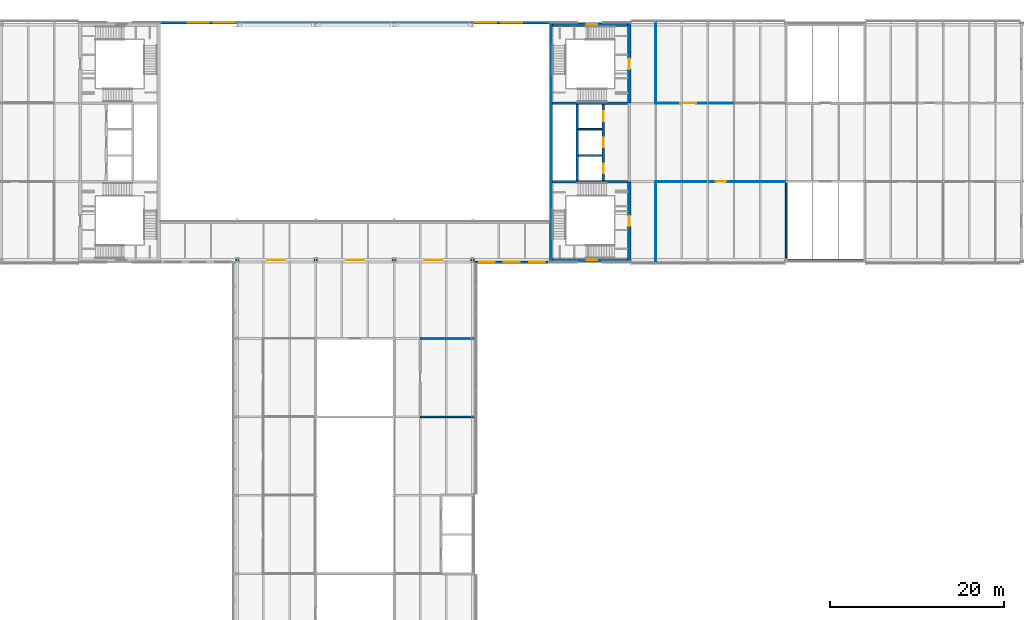
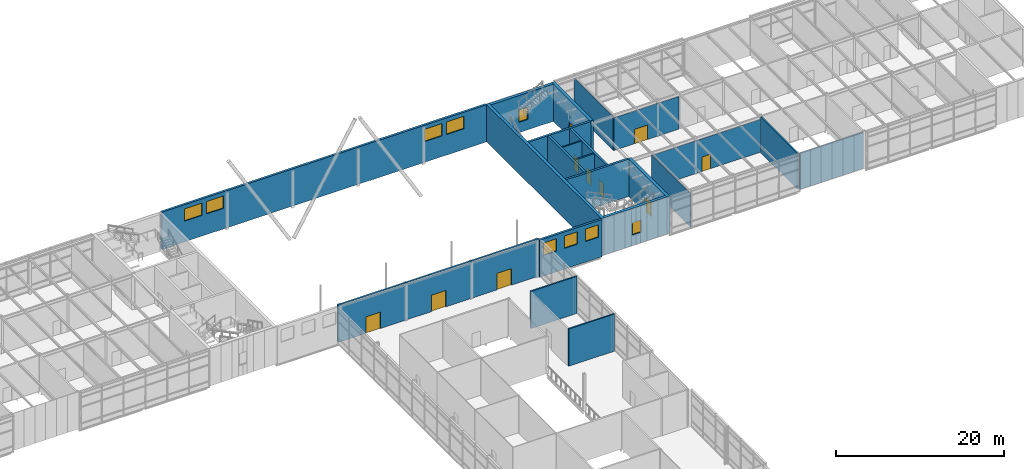
# One storey, part 38 of 46: 22 walls, 10 doors, 9 windows, 19 openings.
"""IFC4 building model written with IfcOpenShell, lengths in metres."""

from ifc_helpers import new_model, si_unit, direction, frame, frame_2d, origin, place, context, subcontext, project, spatial, rectangle, extrude, material, layer, layer_set, type_object, element, fill, save


model = new_model("IFC4")

# Units and contexts
model_context = context("Model", 3, precision=1e-05, world=origin(), true_north=direction((0.0, 1.0)))
body_context = subcontext(model_context, "Body", "Model", "MODEL_VIEW")
ifc_project = project(units=[si_unit("LENGTHUNIT", "METRE"), si_unit("AREAUNIT", "SQUARE_METRE"), si_unit("VOLUMEUNIT", "CUBIC_METRE"), si_unit("PLANEANGLEUNIT", "RADIAN"), si_unit("MASSUNIT", "GRAM", prefix="KILO")], contexts=[model_context])

# Site, building, storey
site_placement = place(None, origin())
site = spatial("IfcSite", under=ifc_project, at=site_placement, CompositionType="ELEMENT")
building_placement = place(site_placement, origin())
building = spatial("IfcBuilding", under=site, at=building_placement, Name="Azimuth Sports and Learning Centre", CompositionType="ELEMENT")
storey_placement = place(building_placement, frame((0.0, 0.0, 21.60009765625)))
storey = spatial("IfcBuildingStorey", under=building, at=storey_placement, Name="L04", CompositionType="ELEMENT", Elevation=21.60009765625)

# Walls
ifc_material_1 = material(Name="Dense masonry blockwork", Category="masonry")
ifc_layer_1 = layer(ifc_material_1, 0.199951171875)
ifc_layer_set_1 = layer_set([ifc_layer_1], Name="Dense masonry blockwork")
wall_type_1 = type_object("IfcWallType", Name="Blockwork wall 200 EI 120", PredefinedType="SOLIDWALL", material=ifc_layer_set_1)
for number, where, z_axis, x_axis, name in (
    (1, (111.14990234375, 102.0, 0.0), (0.0, 0.0, 1.0), (1.0, 0.0, 0.0), "SD-E-1-L04"),
    (2, (111.14990234375, 105.0, 0.0), (0.0, 0.0, 1.0), (1.0, 0.0, 0.0), "SD-E-2-L04"),
):
    element("IfcWall", number, at=place(storey_placement, frame(where, z_axis=z_axis, x_axis=x_axis)), inside=storey, type_object=wall_type_1, Name=name, PredefinedType="SOLIDWALL", context=body_context, shape_type="SweptSolid", body=[
        extrude(rectangle(XDim=2.7001953125, YDim=0.199951171875, at=frame_2d((1.35009765625, 0.0))), origin(), (0.0, 0.0, 1.0), 5.39990234375),
    ])

# Wall, openings, windows
ifc_material_2 = material(Name="Insulated cladding wall")
ifc_layer_2 = layer(ifc_material_2, 0.300048828125)
ifc_layer_set_2 = layer_set([ifc_layer_2], Name="Insulated cladding wall")
wall_type_2 = type_object("IfcWallType", Name="Hall cladding wall 300", PredefinedType="SOLIDWALL", material=ifc_layer_set_2)
wall_1_placement = place(storey_placement, frame((99.199951171875, 89.760009765625, 0.0), z_axis=(0.0, 0.0, 1.0), x_axis=(1.0, 0.0, 0.0)))
wall_1 = element("IfcWall", 3, at=wall_1_placement, inside=storey, type_object=wall_type_2, Name="Hall wall S-HALL E L04", PredefinedType="SOLIDWALL", context=body_context, shape_type="SweptSolid", body=[
    extrude(rectangle(XDim=8.60009765625, YDim=0.300048828125, at=frame_2d((4.300048828125, 0.0))), origin(), (0.0, 0.0, 1.0), 5.39990234375),
])
opening_1_placement = place(wall_1_placement, frame((0.550048828125, 0.0, 3.0)))
opening_1 = element("IfcOpeningElement", 4, at=opening_1_placement, cuts=wall_1, Name="Opening W04-006", PredefinedType="OPENING", context=body_context, shape_type="SweptSolid", body=[
    extrude(rectangle(XDim=1.800048828125, YDim=1.800048828125, at=frame_2d((0.89990234375, 0.89990234375))), frame((0.0, 0.1611328125, 0.0), z_axis=(0.0, -1.0, 0.0), x_axis=(1.0, 0.0, 0.0)), (0.0, 0.0, 1.0), 0.322021484375),
])
opening_2_placement = place(wall_1_placement, frame((3.39990234375, 0.0, 3.0)))
opening_2 = element("IfcOpeningElement", 5, at=opening_2_placement, cuts=wall_1, Name="Opening W04-007", PredefinedType="OPENING", context=body_context, shape_type="SweptSolid", body=[
    extrude(rectangle(XDim=1.800048828125, YDim=1.800048828125, at=frame_2d((0.89990234375, 0.89990234375))), frame((0.0, 0.1611328125, 0.0), z_axis=(0.0, -1.0, 0.0), x_axis=(1.0, 0.0, 0.0)), (0.0, 0.0, 1.0), 0.322021484375),
])
opening_3_placement = place(wall_1_placement, frame((6.300048828125, 0.0, 3.0)))
opening_3 = element("IfcOpeningElement", 6, at=opening_3_placement, cuts=wall_1, Name="Opening W04-008", PredefinedType="OPENING", context=body_context, shape_type="SweptSolid", body=[
    extrude(rectangle(XDim=1.800048828125, YDim=1.800048828125, at=frame_2d((0.89990234375, 0.89990234375))), frame((0.0, 0.1611328125, 0.0), z_axis=(0.0, -1.0, 0.0), x_axis=(1.0, 0.0, 0.0)), (0.0, 0.0, 1.0), 0.322021484375),
])
ifc_material_3 = material(Name="Aluminium and glass", Category="aluminium")
window_type_1 = type_object("IfcWindowType", Name="Hall B end bay window 1800x1800", PartitioningType="SINGLE_PANEL", PredefinedType="WINDOW", material=ifc_material_3)
window_1_placement = place(opening_1_placement, origin())
window_1 = element("IfcWindow", 7, at=window_1_placement, inside=storey, type_object=window_type_1, Name="Window W04-006", OverallHeight=1.800048828125, OverallWidth=1.800048828125, PartitioningType="SINGLE_PANEL", PredefinedType="WINDOW", context=body_context, shape_type="SweptSolid", body=[
    extrude(rectangle(XDim=1.800048828125, YDim=1.800048828125, at=frame_2d((0.89990234375, 0.89990234375))), frame((0.0, 0.030029296875, 0.0), z_axis=(0.0, -1.0, 0.0), x_axis=(1.0, 0.0, 0.0)), (0.0, 0.0, 1.0), 0.06005859375),
])
fill(opening_1, window_1)
window_2_placement = place(opening_2_placement, origin())
window_2 = element("IfcWindow", 8, at=window_2_placement, inside=storey, type_object=window_type_1, Name="Window W04-007", OverallHeight=1.800048828125, OverallWidth=1.800048828125, PartitioningType="SINGLE_PANEL", PredefinedType="WINDOW", context=body_context, shape_type="SweptSolid", body=[
    extrude(rectangle(XDim=1.800048828125, YDim=1.800048828125, at=frame_2d((0.89990234375, 0.89990234375))), frame((0.0, 0.030029296875, 0.0), z_axis=(0.0, -1.0, 0.0), x_axis=(1.0, 0.0, 0.0)), (0.0, 0.0, 1.0), 0.06005859375),
])
fill(opening_2, window_2)
window_3_placement = place(opening_3_placement, origin())
window_3 = element("IfcWindow", 9, at=window_3_placement, inside=storey, type_object=window_type_1, Name="Window W04-008", OverallHeight=1.800048828125, OverallWidth=1.800048828125, PartitioningType="SINGLE_PANEL", PredefinedType="WINDOW", context=body_context, shape_type="SweptSolid", body=[
    extrude(rectangle(XDim=1.800048828125, YDim=1.800048828125, at=frame_2d((0.89990234375, 0.89990234375))), frame((0.0, 0.030029296875, 0.0), z_axis=(0.0, -1.0, 0.0), x_axis=(1.0, 0.0, 0.0)), (0.0, 0.0, 1.0), 0.06005859375),
])
fill(opening_3, window_3)

wall_2_placement = place(storey_placement, frame((107.800048828125, 117.239990234375, 0.0), z_axis=(0.0, 0.0, 1.0), x_axis=(-1.0, 0.0, 0.0)))
wall_2 = element("IfcWall", 10, at=wall_2_placement, inside=storey, type_object=wall_type_2, Name="Hall wall N-HALL L04", PredefinedType="SOLIDWALL", context=body_context, shape_type="SweptSolid", body=[
    extrude(rectangle(XDim=44.60009765625, YDim=0.300048828125, at=frame_2d((22.300048828125, 0.0))), origin(), (0.0, 0.0, 1.0), 5.39990234375),
])
opening_4_placement = place(wall_2_placement, frame((3.10009765625, 0.0, 3.0)))
opening_4 = element("IfcOpeningElement", 11, at=opening_4_placement, cuts=wall_2, Name="Opening W04-013", PredefinedType="OPENING", context=body_context, shape_type="SweptSolid", body=[
    extrude(rectangle(XDim=2.39990234375, YDim=1.800048828125, at=frame_2d((1.199951171875, 0.89990234375))), frame((0.0, 0.1611328125, 0.0), z_axis=(0.0, -1.0, 0.0), x_axis=(1.0, 0.0, 0.0)), (0.0, 0.0, 1.0), 0.322021484375),
])
opening_5_placement = place(wall_2_placement, frame((6.10009765625, 0.0, 3.0)))
opening_5 = element("IfcOpeningElement", 12, at=opening_5_placement, cuts=wall_2, Name="Opening W04-014", PredefinedType="OPENING", context=body_context, shape_type="SweptSolid", body=[
    extrude(rectangle(XDim=2.39990234375, YDim=1.800048828125, at=frame_2d((1.199951171875, 0.89990234375))), frame((0.0, 0.1611328125, 0.0), z_axis=(0.0, -1.0, 0.0), x_axis=(1.0, 0.0, 0.0)), (0.0, 0.0, 1.0), 0.322021484375),
])
opening_6_placement = place(wall_2_placement, frame((36.10009765625, 0.0, 3.0)))
opening_6 = element("IfcOpeningElement", 13, at=opening_6_placement, cuts=wall_2, Name="Opening W04-015", PredefinedType="OPENING", context=body_context, shape_type="SweptSolid", body=[
    extrude(rectangle(XDim=2.39990234375, YDim=1.800048828125, at=frame_2d((1.199951171875, 0.89990234375))), frame((0.0, 0.1611328125, 0.0), z_axis=(0.0, -1.0, 0.0), x_axis=(1.0, 0.0, 0.0)), (0.0, 0.0, 1.0), 0.322021484375),
])
opening_7_placement = place(wall_2_placement, frame((39.10009765625, 0.0, 3.0)))
opening_7 = element("IfcOpeningElement", 14, at=opening_7_placement, cuts=wall_2, Name="Opening W04-016", PredefinedType="OPENING", context=body_context, shape_type="SweptSolid", body=[
    extrude(rectangle(XDim=2.39990234375, YDim=1.800048828125, at=frame_2d((1.199951171875, 0.89990234375))), frame((0.0, 0.1611328125, 0.0), z_axis=(0.0, -1.0, 0.0), x_axis=(1.0, 0.0, 0.0)), (0.0, 0.0, 1.0), 0.322021484375),
])
ifc_material_4 = material(Name="Aluminium and glass", Category="aluminium")
window_type_2 = type_object("IfcWindowType", Name="Hall B clerestory window 2400x1800", PartitioningType="SINGLE_PANEL", PredefinedType="WINDOW", material=ifc_material_4)
window_4_placement = place(opening_4_placement, origin())
window_4 = element("IfcWindow", 15, at=window_4_placement, inside=storey, type_object=window_type_2, Name="Window W04-013", OverallHeight=1.800048828125, OverallWidth=2.39990234375, PartitioningType="SINGLE_PANEL", PredefinedType="WINDOW", context=body_context, shape_type="SweptSolid", body=[
    extrude(rectangle(XDim=2.39990234375, YDim=1.800048828125, at=frame_2d((1.199951171875, 0.89990234375))), frame((0.0, 0.030029296875, 0.0), z_axis=(0.0, -1.0, 0.0), x_axis=(1.0, 0.0, 0.0)), (0.0, 0.0, 1.0), 0.06005859375),
])
fill(opening_4, window_4)
window_5_placement = place(opening_5_placement, origin())
window_5 = element("IfcWindow", 16, at=window_5_placement, inside=storey, type_object=window_type_2, Name="Window W04-014", OverallHeight=1.800048828125, OverallWidth=2.39990234375, PartitioningType="SINGLE_PANEL", PredefinedType="WINDOW", context=body_context, shape_type="SweptSolid", body=[
    extrude(rectangle(XDim=2.39990234375, YDim=1.800048828125, at=frame_2d((1.199951171875, 0.89990234375))), frame((0.0, 0.030029296875, 0.0), z_axis=(0.0, -1.0, 0.0), x_axis=(1.0, 0.0, 0.0)), (0.0, 0.0, 1.0), 0.06005859375),
])
fill(opening_5, window_5)
window_6_placement = place(opening_6_placement, origin())
window_6 = element("IfcWindow", 17, at=window_6_placement, inside=storey, type_object=window_type_2, Name="Window W04-015", OverallHeight=1.800048828125, OverallWidth=2.39990234375, PartitioningType="SINGLE_PANEL", PredefinedType="WINDOW", context=body_context, shape_type="SweptSolid", body=[
    extrude(rectangle(XDim=2.39990234375, YDim=1.800048828125, at=frame_2d((1.199951171875, 0.89990234375))), frame((0.0, 0.030029296875, 0.0), z_axis=(0.0, -1.0, 0.0), x_axis=(1.0, 0.0, 0.0)), (0.0, 0.0, 1.0), 0.06005859375),
])
fill(opening_6, window_6)
window_7_placement = place(opening_7_placement, origin())
window_7 = element("IfcWindow", 18, at=window_7_placement, inside=storey, type_object=window_type_2, Name="Window W04-016", OverallHeight=1.800048828125, OverallWidth=2.39990234375, PartitioningType="SINGLE_PANEL", PredefinedType="WINDOW", context=body_context, shape_type="SweptSolid", body=[
    extrude(rectangle(XDim=2.39990234375, YDim=1.800048828125, at=frame_2d((1.199951171875, 0.89990234375))), frame((0.0, 0.030029296875, 0.0), z_axis=(0.0, -1.0, 0.0), x_axis=(1.0, 0.0, 0.0)), (0.0, 0.0, 1.0), 0.06005859375),
])
fill(opening_7, window_7)

# Wall, openings, doors
ifc_material_5 = material(Name="Reinforced masonry blockwork", Category="masonry")
ifc_layer_3 = layer(ifc_material_5, 0.25)
ifc_layer_set_3 = layer_set([ifc_layer_3], Name="Reinforced masonry blockwork")
wall_type_3 = type_object("IfcWallType", Name="Hall wall 250 EI 60", PredefinedType="SOLIDWALL", material=ifc_layer_set_3)
wall_3_placement = place(storey_placement, frame((71.699951171875, 90.0, 0.0), z_axis=(0.0, 0.0, 1.0), x_axis=(1.0, 0.0, 0.0)))
wall_3 = element("IfcWall", 19, at=wall_3_placement, inside=storey, type_object=wall_type_3, Name="Hall wall 250 EI 60", PredefinedType="SOLIDWALL", context=body_context, shape_type="SweptSolid", body=[
    extrude(rectangle(XDim=27.60009765625, YDim=0.25, at=frame_2d((13.800048828125, 0.0))), origin(), (0.0, 0.0, 1.0), 5.39990234375),
])
opening_8_placement = place(wall_3_placement, frame((3.800048828125, 0.0, 0.0)))
opening_8 = element("IfcOpeningElement", 20, at=opening_8_placement, cuts=wall_3, Name="Opening D04-056", PredefinedType="OPENING", context=body_context, shape_type="SweptSolid", body=[
    extrude(rectangle(XDim=2.0, YDim=2.39990234375, at=frame_2d((1.0, 1.199951171875))), frame((0.0, 0.135986328125, 0.0), z_axis=(0.0, -1.0, 0.0), x_axis=(1.0, 0.0, 0.0)), (0.0, 0.0, 1.0), 0.27197265625),
])
opening_9_placement = place(wall_3_placement, frame((12.800048828125, 0.0, 0.0)))
opening_9 = element("IfcOpeningElement", 21, at=opening_9_placement, cuts=wall_3, Name="Opening D04-057", PredefinedType="OPENING", context=body_context, shape_type="SweptSolid", body=[
    extrude(rectangle(XDim=2.0, YDim=2.39990234375, at=frame_2d((1.0, 1.199951171875))), frame((0.0, 0.135986328125, 0.0), z_axis=(0.0, -1.0, 0.0), x_axis=(1.0, 0.0, 0.0)), (0.0, 0.0, 1.0), 0.27197265625),
])
opening_10_placement = place(wall_3_placement, frame((21.800048828125, 0.0, 0.0)))
opening_10 = element("IfcOpeningElement", 22, at=opening_10_placement, cuts=wall_3, Name="Opening D04-058", PredefinedType="OPENING", context=body_context, shape_type="SweptSolid", body=[
    extrude(rectangle(XDim=2.0, YDim=2.39990234375, at=frame_2d((1.0, 1.199951171875))), frame((0.0, 0.135986328125, 0.0), z_axis=(0.0, -1.0, 0.0), x_axis=(1.0, 0.0, 0.0)), (0.0, 0.0, 1.0), 0.27197265625),
])
ifc_material_6 = material(Name="Steel fire door set", Category="steel")
door_type_1 = type_object("IfcDoorType", Name="Steel door double 2000x2400 FD60", OperationType="DOUBLE_DOOR_SINGLE_SWING", PredefinedType="DOOR", material=ifc_material_6)
door_1_placement = place(opening_8_placement, frame((2.0, 0.0, 0.0), z_axis=(0.0, 0.0, 1.0), x_axis=(-1.0, 0.0, 0.0)))
door_1 = element("IfcDoor", 23, at=door_1_placement, inside=storey, type_object=door_type_1, Name="Door D04-056", OperationType="DOUBLE_DOOR_SINGLE_SWING", OverallHeight=2.39990234375, OverallWidth=2.0, PredefinedType="DOOR", context=body_context, shape_type="SweptSolid", body=[
    extrude(rectangle(XDim=2.0, YDim=2.39990234375, at=frame_2d((1.0, 1.199951171875))), frame((0.0, 0.02490234375, 0.0), z_axis=(0.0, -1.0, 0.0), x_axis=(1.0, 0.0, 0.0)), (0.0, 0.0, 1.0), 0.050048828125),
])
fill(opening_8, door_1)
door_2_placement = place(opening_9_placement, frame((2.0, 0.0, 0.0), z_axis=(0.0, 0.0, 1.0), x_axis=(-1.0, 0.0, 0.0)))
door_2 = element("IfcDoor", 24, at=door_2_placement, inside=storey, type_object=door_type_1, Name="Door D04-057", OperationType="DOUBLE_DOOR_SINGLE_SWING", OverallHeight=2.39990234375, OverallWidth=2.0, PredefinedType="DOOR", context=body_context, shape_type="SweptSolid", body=[
    extrude(rectangle(XDim=2.0, YDim=2.39990234375, at=frame_2d((1.0, 1.199951171875))), frame((0.0, 0.02490234375, 0.0), z_axis=(0.0, -1.0, 0.0), x_axis=(1.0, 0.0, 0.0)), (0.0, 0.0, 1.0), 0.050048828125),
])
fill(opening_9, door_2)
door_3_placement = place(opening_10_placement, frame((2.0, 0.0, 0.0), z_axis=(0.0, 0.0, 1.0), x_axis=(-1.0, 0.0, 0.0)))
door_3 = element("IfcDoor", 25, at=door_3_placement, inside=storey, type_object=door_type_1, Name="Door D04-058", OperationType="DOUBLE_DOOR_SINGLE_SWING", OverallHeight=2.39990234375, OverallWidth=2.0, PredefinedType="DOOR", context=body_context, shape_type="SweptSolid", body=[
    extrude(rectangle(XDim=2.0, YDim=2.39990234375, at=frame_2d((1.0, 1.199951171875))), frame((0.0, 0.02490234375, 0.0), z_axis=(0.0, -1.0, 0.0), x_axis=(1.0, 0.0, 0.0)), (0.0, 0.0, 1.0), 0.050048828125),
])
fill(opening_10, door_3)

# Wall, opening, door
ifc_material_7 = material(Name="Gypsum board on steel studs", Category="steel")
ifc_layer_4 = layer(ifc_material_7, 0.10009765625)
ifc_layer_set_4 = layer_set([ifc_layer_4], Name="Gypsum board on steel studs")
wall_type_4 = type_object("IfcWallType", Name="Partition 100 EI 30", PredefinedType="PARTITIONING", material=ifc_layer_set_4)
wall_4_placement = place(storey_placement, frame((120.0, 99.0, 0.0), z_axis=(0.0, 0.0, 1.0), x_axis=(1.0, 0.0, 0.0)))
wall_4 = element("IfcWall", 26, at=wall_4_placement, inside=storey, type_object=wall_type_4, Name="Partition 100 EI 30", PredefinedType="PARTITIONING", context=body_context, shape_type="SweptSolid", body=[
    extrude(rectangle(XDim=15.0, YDim=0.10009765625, at=frame_2d((7.5, 0.0))), origin(), (0.0, 0.0, 1.0), 4.75),
])
opening_11_placement = place(wall_4_placement, frame((6.89990234375, 0.0, 0.0)))
opening_11 = element("IfcOpeningElement", 27, at=opening_11_placement, cuts=wall_4, Name="Opening D04-041", PredefinedType="OPENING", context=body_context, shape_type="SweptSolid", body=[
    extrude(rectangle(XDim=1.199951171875, YDim=2.10009765625, at=frame_2d((0.60009765625, 1.050048828125))), frame((0.0, 0.06103515625, 0.0), z_axis=(0.0, -1.0, 0.0), x_axis=(1.0, 0.0, 0.0)), (0.0, 0.0, 1.0), 0.1220703125),
])
ifc_material_8 = material(Name="Timber fire door set", Category="wood")
door_type_2 = type_object("IfcDoorType", Name="Timber door single 1200x2100 FD30S", OperationType="NOTDEFINED", PredefinedType="DOOR", material=ifc_material_8)
door_4_placement = place(opening_11_placement, frame((1.199951171875, 0.0, 0.0), z_axis=(0.0, 0.0, 1.0), x_axis=(-1.0, 0.0, 0.0)))
door_4 = element("IfcDoor", 28, at=door_4_placement, inside=storey, type_object=door_type_2, Name="Door D04-041", OperationType="SINGLE_SWING_RIGHT", OverallHeight=2.10009765625, OverallWidth=1.199951171875, PredefinedType="DOOR", context=body_context, shape_type="SweptSolid", body=[
    extrude(rectangle(XDim=1.199951171875, YDim=2.10009765625, at=frame_2d((0.60009765625, 1.050048828125))), frame((0.0, 0.02490234375, 0.0), z_axis=(0.0, -1.0, 0.0), x_axis=(1.0, 0.0, 0.0)), (0.0, 0.0, 1.0), 0.050048828125),
])
fill(opening_11, door_4)

wall_5_placement = place(storey_placement, frame((120.0, 108.0, 0.0), z_axis=(0.0, 0.0, 1.0), x_axis=(1.0, 0.0, 0.0)))
wall_5 = element("IfcWall", 29, at=wall_5_placement, inside=storey, type_object=wall_type_4, Name="Partition 100 EI 30", PredefinedType="PARTITIONING", context=body_context, shape_type="SweptSolid", body=[
    extrude(rectangle(XDim=8.9375, YDim=0.10009765625, at=frame_2d((4.46875, 0.0))), origin(), (0.0, 0.0, 1.0), 4.75),
])
opening_12_placement = place(wall_5_placement, frame((2.85009765625, 0.0, 0.0)))
opening_12 = element("IfcOpeningElement", 30, at=opening_12_placement, cuts=wall_5, Name="Opening D04-047", PredefinedType="OPENING", context=body_context, shape_type="SweptSolid", body=[
    extrude(rectangle(XDim=1.800048828125, YDim=2.10009765625, at=frame_2d((0.89990234375, 1.050048828125))), frame((0.0, 0.06103515625, 0.0), z_axis=(0.0, -1.0, 0.0), x_axis=(1.0, 0.0, 0.0)), (0.0, 0.0, 1.0), 0.1220703125),
])
ifc_material_9 = material(Name="Timber fire door set", Category="wood")
door_type_3 = type_object("IfcDoorType", Name="Timber door double 1800x2100 FD30S", OperationType="DOUBLE_DOOR_SINGLE_SWING", PredefinedType="DOOR", material=ifc_material_9)
door_5_placement = place(opening_12_placement, origin())
door_5 = element("IfcDoor", 31, at=door_5_placement, inside=storey, type_object=door_type_3, Name="Door D04-047", OperationType="DOUBLE_DOOR_SINGLE_SWING", OverallHeight=2.10009765625, OverallWidth=1.800048828125, PredefinedType="DOOR", context=body_context, shape_type="SweptSolid", body=[
    extrude(rectangle(XDim=1.800048828125, YDim=2.10009765625, at=frame_2d((0.89990234375, 1.050048828125))), frame((0.0, 0.02490234375, 0.0), z_axis=(0.0, -1.0, 0.0), x_axis=(1.0, 0.0, 0.0)), (0.0, 0.0, 1.0), 0.050048828125),
])
fill(opening_12, door_5)

# Walls
for number, where, z_axis, x_axis, name in (
    (32, (120.0, 89.699951171875, 0.0), (0.0, 0.0, 1.0), (0.0, 1.0, 0.0), "Partition 100 EI 30"),
    (33, (120.0, 108.050048828125, 0.0), (0.0, 0.0, 1.0), (0.0, 1.0, 0.0), "Partition 100 EI 30"),
):
    element("IfcWall", number, at=place(storey_placement, frame(where, z_axis=z_axis, x_axis=x_axis)), inside=storey, type_object=wall_type_4, Name=name, PredefinedType="PARTITIONING", context=body_context, shape_type="SweptSolid", body=[
        extrude(rectangle(XDim=9.25, YDim=0.10009765625, at=frame_2d((4.625, 0.0))), origin(), (0.0, 0.0, 1.0), 4.89990234375),
    ])
ifc_material_10 = material(Name="Reinforced masonry blockwork", Category="masonry")
ifc_layer_5 = layer(ifc_material_10, 0.199951171875)
ifc_layer_set_5 = layer_set([ifc_layer_5], Name="Reinforced masonry blockwork")
wall_type_5 = type_object("IfcWallType", Name="Plant and shaft wall 200 EI 120", PredefinedType="SOLIDWALL", material=ifc_layer_set_5)
for number, where, z_axis, x_axis, name in (
    (34, (93.0, 72.0, 0.0), (0.0, 0.0, 1.0), (1.0, 0.0, 0.0), "Plant and shaft wall 200 EI 120"),
    (35, (93.0, 81.0, 0.0), (0.0, 0.0, 1.0), (1.0, 0.0, 0.0), "Plant and shaft wall 200 EI 120"),
):
    element("IfcWall", number, at=place(storey_placement, frame(where, z_axis=z_axis, x_axis=x_axis)), inside=storey, type_object=wall_type_5, Name=name, PredefinedType="SOLIDWALL", context=body_context, shape_type="SweptSolid", body=[
        extrude(rectangle(XDim=6.300048828125, YDim=0.199951171875, at=frame_2d((3.14990234375, 0.0))), origin(), (0.0, 0.0, 1.0), 5.39990234375),
    ])
ifc_material_11 = material(Name="Concrete C40/50", Category="concrete")
ifc_layer_6 = layer(ifc_material_11, 0.199951171875)
ifc_layer_set_6 = layer_set([ifc_layer_6], Name="Concrete C40/50")
wall_type_6 = type_object("IfcWallType", Name="RC cell wall 200 EI 120", PredefinedType="SHEAR", material=ifc_layer_set_6)
wall_6_placement = place(storey_placement, frame((135.0, 90.14990234375, 0.0), z_axis=(0.0, 0.0, 1.0), x_axis=(0.0, 1.0, 0.0)))
element("IfcWall", 36, at=wall_6_placement, inside=storey, type_object=wall_type_6, Name="CE-EM1-W-L04", PredefinedType="SHEAR", context=body_context, shape_type="SweptSolid", body=[
    extrude(rectangle(XDim=8.7001953125, YDim=0.199951171875, at=frame_2d((4.35009765625, 0.0))), origin(), (0.0, 0.0, 1.0), 5.199951171875),
])
ifc_material_12 = material(Name="Concrete C40/50", Category="concrete")
ifc_layer_7 = layer(ifc_material_12, 0.300048828125)
ifc_layer_set_7 = layer_set([ifc_layer_7], Name="Concrete C40/50")
wall_type_7 = type_object("IfcWallType", Name="RC core wall 300", PredefinedType="SHEAR", material=ifc_layer_set_7)
for number, where, z_axis, x_axis, name in (
    (37, (108.199951171875, 99.0, 0.0), (0.0, 0.0, 1.0), (1.0, 0.0, 0.0), "Core wall E D1 L04"),
    (38, (108.199951171875, 108.0, 0.0), (0.0, 0.0, 1.0), (1.0, 0.0, 0.0), "Core wall E D2 L04"),
):
    element("IfcWall", number, at=place(storey_placement, frame(where, z_axis=z_axis, x_axis=x_axis)), inside=storey, type_object=wall_type_7, Name=name, PredefinedType="SHEAR", context=body_context, shape_type="SweptSolid", body=[
        extrude(rectangle(XDim=8.60009765625, YDim=0.300048828125, at=frame_2d((4.300048828125, 0.0))), origin(), (0.0, 0.0, 1.0), 5.39990234375),
    ])
wall_7_placement = place(storey_placement, frame((111.0, 99.14990234375, 0.0), z_axis=(0.0, 0.0, 1.0), x_axis=(0.0, 1.0, 0.0)))
element("IfcWall", 39, at=wall_7_placement, inside=storey, type_object=wall_type_7, Name="Core wall E LB1 L04", PredefinedType="SHEAR", context=body_context, shape_type="SweptSolid", body=[
    extrude(rectangle(XDim=8.7001953125, YDim=0.300048828125, at=frame_2d((4.35009765625, 0.0))), origin(), (0.0, 0.0, 1.0), 5.39990234375),
])

# Wall, openings, doors
wall_8_placement = place(storey_placement, frame((114.0, 99.14990234375, 0.0), z_axis=(0.0, 0.0, 1.0), x_axis=(0.0, 1.0, 0.0)))
wall_8 = element("IfcWall", 40, at=wall_8_placement, inside=storey, type_object=wall_type_7, Name="Core wall E LB2 L04", PredefinedType="SHEAR", context=body_context, shape_type="SweptSolid", body=[
    extrude(rectangle(XDim=8.7001953125, YDim=0.300048828125, at=frame_2d((4.35009765625, 0.0))), origin(), (0.0, 0.0, 1.0), 5.39990234375),
])
opening_13_placement = place(wall_8_placement, frame((0.800048828125, 0.0, 0.0)))
opening_13 = element("IfcOpeningElement", 41, at=opening_13_placement, cuts=wall_8, Name="Opening D04-022", PredefinedType="OPENING", context=body_context, shape_type="SweptSolid", body=[
    extrude(rectangle(XDim=1.10009765625, YDim=2.10009765625, at=frame_2d((0.550048828125, 1.050048828125))), frame((0.0, 0.1611328125, 0.0), z_axis=(0.0, -1.0, 0.0), x_axis=(1.0, 0.0, 0.0)), (0.0, 0.0, 1.0), 0.322021484375),
])
opening_14_placement = place(wall_8_placement, frame((3.800048828125, 0.0, 0.0)))
opening_14 = element("IfcOpeningElement", 42, at=opening_14_placement, cuts=wall_8, Name="Opening D04-023", PredefinedType="OPENING", context=body_context, shape_type="SweptSolid", body=[
    extrude(rectangle(XDim=1.10009765625, YDim=2.10009765625, at=frame_2d((0.550048828125, 1.050048828125))), frame((0.0, 0.1611328125, 0.0), z_axis=(0.0, -1.0, 0.0), x_axis=(1.0, 0.0, 0.0)), (0.0, 0.0, 1.0), 0.322021484375),
])
opening_15_placement = place(wall_8_placement, frame((6.800048828125, 0.0, 0.0)))
opening_15 = element("IfcOpeningElement", 43, at=opening_15_placement, cuts=wall_8, Name="Opening D04-024", PredefinedType="OPENING", context=body_context, shape_type="SweptSolid", body=[
    extrude(rectangle(XDim=1.10009765625, YDim=2.10009765625, at=frame_2d((0.550048828125, 1.050048828125))), frame((0.0, 0.1611328125, 0.0), z_axis=(0.0, -1.0, 0.0), x_axis=(1.0, 0.0, 0.0)), (0.0, 0.0, 1.0), 0.322021484375),
])
ifc_material_13 = material(Name="Stainless steel", Category="steel")
door_type_4 = type_object("IfcDoorType", Name="Lift landing door 1100 x 2100", OperationType="DOUBLE_DOOR_SLIDING", PredefinedType="DOOR", material=ifc_material_13)
door_6_placement = place(opening_13_placement, origin())
door_6 = element("IfcDoor", 44, at=door_6_placement, inside=storey, type_object=door_type_4, Name="Landing door LE1 L04", OperationType="DOUBLE_DOOR_SLIDING", OverallHeight=2.10009765625, OverallWidth=1.10009765625, PredefinedType="DOOR", context=body_context, shape_type="SweptSolid", body=[
    extrude(rectangle(XDim=1.10009765625, YDim=2.10009765625, at=frame_2d((0.550048828125, 1.050048828125))), frame((0.0, 0.02490234375, 0.0), z_axis=(0.0, -1.0, 0.0), x_axis=(1.0, 0.0, 0.0)), (0.0, 0.0, 1.0), 0.050048828125),
])
fill(opening_13, door_6)
door_7_placement = place(opening_14_placement, origin())
door_7 = element("IfcDoor", 45, at=door_7_placement, inside=storey, type_object=door_type_4, Name="Landing door LE2 L04", OperationType="DOUBLE_DOOR_SLIDING", OverallHeight=2.10009765625, OverallWidth=1.10009765625, PredefinedType="DOOR", context=body_context, shape_type="SweptSolid", body=[
    extrude(rectangle(XDim=1.10009765625, YDim=2.10009765625, at=frame_2d((0.550048828125, 1.050048828125))), frame((0.0, 0.02490234375, 0.0), z_axis=(0.0, -1.0, 0.0), x_axis=(1.0, 0.0, 0.0)), (0.0, 0.0, 1.0), 0.050048828125),
])
fill(opening_14, door_7)
door_8_placement = place(opening_15_placement, origin())
door_8 = element("IfcDoor", 46, at=door_8_placement, inside=storey, type_object=door_type_4, Name="Landing door LE3 L04", OperationType="DOUBLE_DOOR_SLIDING", OverallHeight=2.10009765625, OverallWidth=1.10009765625, PredefinedType="DOOR", context=body_context, shape_type="SweptSolid", body=[
    extrude(rectangle(XDim=1.10009765625, YDim=2.10009765625, at=frame_2d((0.550048828125, 1.050048828125))), frame((0.0, 0.02490234375, 0.0), z_axis=(0.0, -1.0, 0.0), x_axis=(1.0, 0.0, 0.0)), (0.0, 0.0, 1.0), 0.050048828125),
])
fill(opening_15, door_8)

# Wall
ifc_material_14 = material(Name="Concrete C40/50", Category="concrete")
ifc_layer_8 = layer(ifc_material_14, 0.39990234375)
ifc_layer_set_8 = layer_set([ifc_layer_8], Name="Concrete C40/50")
wall_type_8 = type_object("IfcWallType", Name="RC core wall 400", PredefinedType="SHEAR", material=ifc_layer_set_8)
wall_9_placement = place(storey_placement, frame((108.0, 89.800048828125, 0.0), z_axis=(0.0, 0.0, 1.0), x_axis=(0.0, 1.0, 0.0)))
element("IfcWall", 47, at=wall_9_placement, inside=storey, type_object=wall_type_8, Name="Core wall E W L04", PredefinedType="SHEAR", context=body_context, shape_type="SweptSolid", body=[
    extrude(rectangle(XDim=27.39990234375, YDim=0.39990234375, at=frame_2d((13.699951171875, 0.0))), origin(), (0.0, 0.0, 1.0), 5.39990234375),
])

# Wall, opening, door
wall_10_placement = place(storey_placement, frame((117.0, 89.800048828125, 0.0), z_axis=(0.0, 0.0, 1.0), x_axis=(0.0, 1.0, 0.0)))
wall_10 = element("IfcWall", 48, at=wall_10_placement, inside=storey, type_object=wall_type_8, Name="Core wall E ES L04", PredefinedType="SHEAR", context=body_context, shape_type="SweptSolid", body=[
    extrude(rectangle(XDim=9.199951171875, YDim=0.39990234375, at=frame_2d((4.60009765625, 0.0))), origin(), (0.0, 0.0, 1.0), 5.39990234375),
])
opening_16_placement = place(wall_10_placement, frame((4.10009765625, 0.0, 0.0)))
opening_16 = element("IfcOpeningElement", 49, at=opening_16_placement, cuts=wall_10, Name="Opening D04-003", PredefinedType="OPENING", context=body_context, shape_type="SweptSolid", body=[
    extrude(rectangle(XDim=1.199951171875, YDim=2.10009765625, at=frame_2d((0.60009765625, 1.050048828125))), frame((0.0, 0.2109375, 0.0), z_axis=(0.0, -1.0, 0.0), x_axis=(1.0, 0.0, 0.0)), (0.0, 0.0, 1.0), 0.421875),
])
ifc_material_15 = material(Name="Steel", Category="steel")
door_type_5 = type_object("IfcDoorType", Name="Stair fire door 1200 x 2100", OperationType="NOTDEFINED", PredefinedType="DOOR", material=ifc_material_15)
door_9_placement = place(opening_16_placement, frame((1.199951171875, 0.0, 0.0), z_axis=(0.0, 0.0, 1.0), x_axis=(-1.0, 0.0, 0.0)))
door_9 = element("IfcDoor", 50, at=door_9_placement, inside=storey, type_object=door_type_5, Name="Stair door E1 L04", OperationType="SINGLE_SWING_LEFT", OverallHeight=2.10009765625, OverallWidth=1.199951171875, PredefinedType="DOOR", context=body_context, shape_type="SweptSolid", body=[
    extrude(rectangle(XDim=1.199951171875, YDim=2.10009765625, at=frame_2d((0.60009765625, 1.050048828125))), frame((0.0, 0.02490234375, 0.0), z_axis=(0.0, -1.0, 0.0), x_axis=(1.0, 0.0, 0.0)), (0.0, 0.0, 1.0), 0.050048828125),
])
fill(opening_16, door_9)

wall_11_placement = place(storey_placement, frame((117.0, 108.0, 0.0), z_axis=(0.0, 0.0, 1.0), x_axis=(0.0, 1.0, 0.0)))
wall_11 = element("IfcWall", 51, at=wall_11_placement, inside=storey, type_object=wall_type_8, Name="Core wall E EN L04", PredefinedType="SHEAR", context=body_context, shape_type="SweptSolid", body=[
    extrude(rectangle(XDim=9.199951171875, YDim=0.39990234375, at=frame_2d((4.60009765625, 0.0))), origin(), (0.0, 0.0, 1.0), 5.39990234375),
])
opening_17_placement = place(wall_11_placement, frame((3.89990234375, 0.0, 0.0)))
opening_17 = element("IfcOpeningElement", 52, at=opening_17_placement, cuts=wall_11, Name="Opening D04-004", PredefinedType="OPENING", context=body_context, shape_type="SweptSolid", body=[
    extrude(rectangle(XDim=1.199951171875, YDim=2.10009765625, at=frame_2d((0.60009765625, 1.050048828125))), frame((0.0, 0.2109375, 0.0), z_axis=(0.0, -1.0, 0.0), x_axis=(1.0, 0.0, 0.0)), (0.0, 0.0, 1.0), 0.421875),
])
door_10_placement = place(opening_17_placement, frame((1.199951171875, 0.0, 0.0), z_axis=(0.0, 0.0, 1.0), x_axis=(-1.0, 0.0, 0.0)))
door_10 = element("IfcDoor", 53, at=door_10_placement, inside=storey, type_object=door_type_5, Name="Stair door E2 L04", OperationType="SINGLE_SWING_RIGHT", OverallHeight=2.10009765625, OverallWidth=1.199951171875, PredefinedType="DOOR", context=body_context, shape_type="SweptSolid", body=[
    extrude(rectangle(XDim=1.199951171875, YDim=2.10009765625, at=frame_2d((0.60009765625, 1.050048828125))), frame((0.0, 0.02490234375, 0.0), z_axis=(0.0, -1.0, 0.0), x_axis=(1.0, 0.0, 0.0)), (0.0, 0.0, 1.0), 0.050048828125),
])
fill(opening_17, door_10)

# Wall
ifc_material_16 = material(Name="Concrete C40/50", Category="concrete")
ifc_layer_9 = layer(ifc_material_16, 0.199951171875)
ifc_layer_set_9 = layer_set([ifc_layer_9], Name="Concrete C40/50")
wall_type_9 = type_object("IfcWallType", Name="RC external cell wall 200 EI 120", PredefinedType="SHEAR", material=ifc_layer_set_9)
wall_12_placement = place(storey_placement, frame((135.14990234375, 90.0, 0.0), z_axis=(0.0, 0.0, 1.0), x_axis=(1.0, 0.0, 0.0)))
element("IfcWall", 54, at=wall_12_placement, inside=storey, type_object=wall_type_9, Name="CE-EM1-S-L04", PredefinedType="SHEAR", context=body_context, shape_type="SweptSolid", body=[
    extrude(rectangle(XDim=8.7001953125, YDim=0.199951171875, at=frame_2d((4.35009765625, 0.0))), origin(), (0.0, 0.0, 1.0), 5.199951171875),
])

# Wall, opening, window
ifc_material_17 = material(Name="Concrete C40/50", Category="concrete")
ifc_layer_10 = layer(ifc_material_17, 0.39990234375)
ifc_layer_set_10 = layer_set([ifc_layer_10], Name="Concrete C40/50")
wall_type_10 = type_object("IfcWallType", Name="RC external core wall 400", PredefinedType="SHEAR", material=ifc_layer_set_10)
wall_13_placement = place(storey_placement, frame((108.199951171875, 90.0, 0.0), z_axis=(0.0, 0.0, 1.0), x_axis=(1.0, 0.0, 0.0)))
wall_13 = element("IfcWall", 55, at=wall_13_placement, inside=storey, type_object=wall_type_10, Name="Core wall E S L04", PredefinedType="SHEAR", context=body_context, shape_type="SweptSolid", body=[
    extrude(rectangle(XDim=8.60009765625, YDim=0.39990234375, at=frame_2d((4.300048828125, 0.0))), origin(), (0.0, 0.0, 1.0), 5.39990234375),
])
opening_18_placement = place(wall_13_placement, frame((3.89990234375, 0.0, 1.5)))
opening_18 = element("IfcOpeningElement", 56, at=opening_18_placement, cuts=wall_13, Name="Opening W04-009", PredefinedType="OPENING", context=body_context, shape_type="SweptSolid", body=[
    extrude(rectangle(XDim=1.199951171875, YDim=1.800048828125, at=frame_2d((0.60009765625, 0.89990234375))), frame((0.0, 0.2109375, 0.0), z_axis=(0.0, -1.0, 0.0), x_axis=(1.0, 0.0, 0.0)), (0.0, 0.0, 1.0), 0.421875),
])
ifc_material_18 = material(Name="Aluminium and glass", Category="aluminium")
window_type_3 = type_object("IfcWindowType", Name="Stair window podium core 1200x1800", PartitioningType="SINGLE_PANEL", PredefinedType="WINDOW", material=ifc_material_18)
window_8_placement = place(opening_18_placement, origin())
window_8 = element("IfcWindow", 57, at=window_8_placement, inside=storey, type_object=window_type_3, Name="Window W04-009", OverallHeight=1.800048828125, OverallWidth=1.199951171875, PartitioningType="SINGLE_PANEL", PredefinedType="WINDOW", context=body_context, shape_type="SweptSolid", body=[
    extrude(rectangle(XDim=1.199951171875, YDim=1.800048828125, at=frame_2d((0.60009765625, 0.89990234375))), frame((0.0, 0.030029296875, 0.0), z_axis=(0.0, -1.0, 0.0), x_axis=(1.0, 0.0, 0.0)), (0.0, 0.0, 1.0), 0.06005859375),
])
fill(opening_18, window_8)

wall_14_placement = place(storey_placement, frame((108.199951171875, 117.0, 0.0), z_axis=(0.0, 0.0, 1.0), x_axis=(1.0, 0.0, 0.0)))
wall_14 = element("IfcWall", 58, at=wall_14_placement, inside=storey, type_object=wall_type_10, Name="Core wall E N L04", PredefinedType="SHEAR", context=body_context, shape_type="SweptSolid", body=[
    extrude(rectangle(XDim=8.60009765625, YDim=0.39990234375, at=frame_2d((4.300048828125, 0.0))), origin(), (0.0, 0.0, 1.0), 5.39990234375),
])
opening_19_placement = place(wall_14_placement, frame((3.89990234375, 0.0, 1.5)))
opening_19 = element("IfcOpeningElement", 59, at=opening_19_placement, cuts=wall_14, Name="Opening W04-012", PredefinedType="OPENING", context=body_context, shape_type="SweptSolid", body=[
    extrude(rectangle(XDim=1.199951171875, YDim=1.800048828125, at=frame_2d((0.60009765625, 0.89990234375))), frame((0.0, 0.2109375, 0.0), z_axis=(0.0, -1.0, 0.0), x_axis=(1.0, 0.0, 0.0)), (0.0, 0.0, 1.0), 0.421875),
])
window_9_placement = place(opening_19_placement, origin())
window_9 = element("IfcWindow", 60, at=window_9_placement, inside=storey, type_object=window_type_3, Name="Window W04-012", OverallHeight=1.800048828125, OverallWidth=1.199951171875, PartitioningType="SINGLE_PANEL", PredefinedType="WINDOW", context=body_context, shape_type="SweptSolid", body=[
    extrude(rectangle(XDim=1.199951171875, YDim=1.800048828125, at=frame_2d((0.60009765625, 0.89990234375))), frame((0.0, 0.030029296875, 0.0), z_axis=(0.0, -1.0, 0.0), x_axis=(1.0, 0.0, 0.0)), (0.0, 0.0, 1.0), 0.06005859375),
])
fill(opening_19, window_9)

save(model, "model.ifc")
